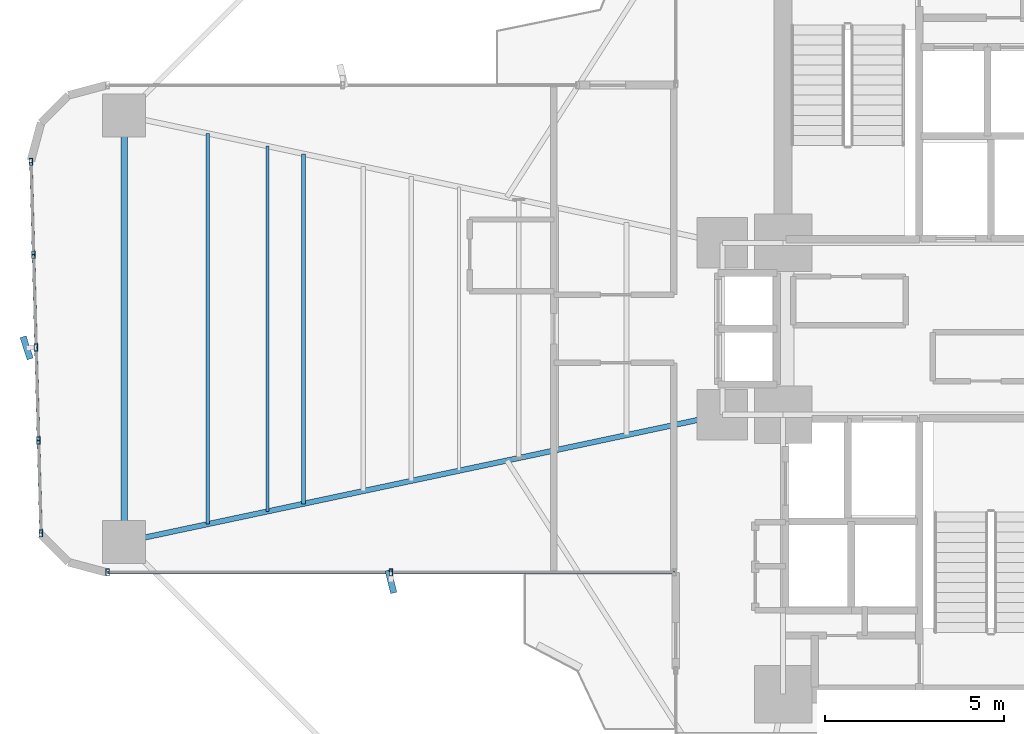
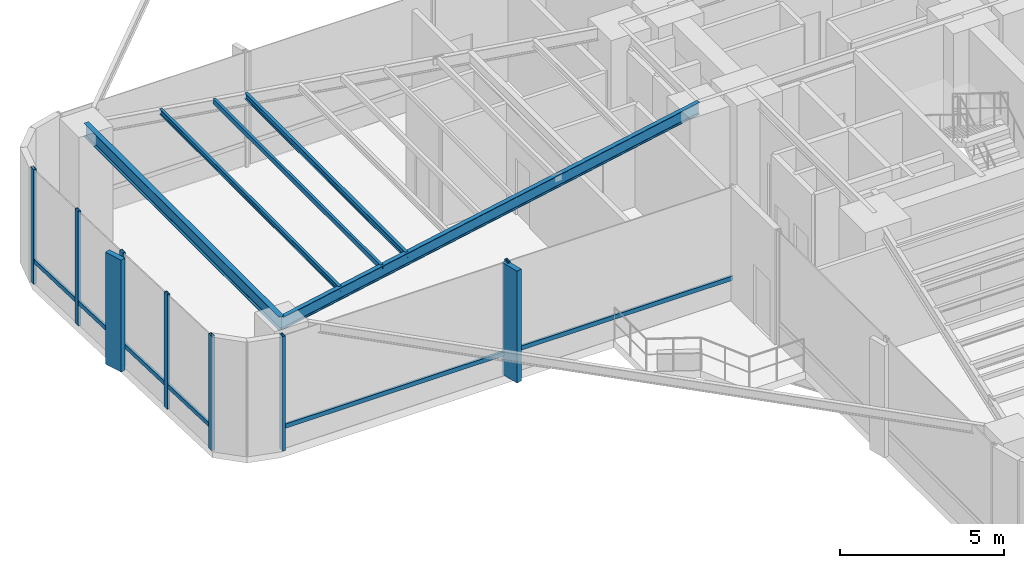
# One storey, part 5 of 20: 15 members, 5 beams, 2 elements without a shape of their own.
"""IFC4 building model written with IfcOpenShell, lengths in metres."""

from ifc_helpers import new_model, si_unit, direction, frame, origin, origin_2d, place, context, subcontext, project, spatial, rectangle, hollow_rectangle, i_section, extrude, source, transform, mapped, material, material_profile, profile_set, type_object, element, aggregate, save


model = new_model("IFC4")

# Units and contexts
model_context = context("Model", 3, precision=1e-05, world=origin(), true_north=direction((0.0, 1.0)))
body_context = subcontext(model_context, "Body", "Model", "MODEL_VIEW")
ifc_project = project(units=[si_unit("LENGTHUNIT", "METRE"), si_unit("AREAUNIT", "SQUARE_METRE"), si_unit("VOLUMEUNIT", "CUBIC_METRE"), si_unit("PLANEANGLEUNIT", "RADIAN"), si_unit("MASSUNIT", "GRAM", prefix="KILO")], contexts=[model_context])

# Site, building, storey
site_placement = place(None, origin())
site = spatial("IfcSite", under=ifc_project, at=site_placement, CompositionType="ELEMENT")
building_placement = place(site_placement, origin())
building = spatial("IfcBuilding", under=site, at=building_placement, Name="Sahyath Konkavel Grand Hotel", CompositionType="ELEMENT")
storey_placement = place(building_placement, frame((0.0, 0.0, 46.550048828125)))
storey = spatial("IfcBuildingStorey", under=building, at=storey_placement, Name="L12", CompositionType="ELEMENT", Elevation=46.550048828125)

# Beams
ifc_material_1 = material(Name="Steel E350", Category="steel")
ifc_material_profile_1 = material_profile(ifc_material_1, i_section(OverallWidth=0.179931640625, OverallDepth=0.5, WebThickness=0.01025390625, FlangeThickness=0.01708984375, FilletRadius=0.01708984375, at=origin_2d()), Name="ISMB 500")
ifc_profile_set_1 = profile_set([ifc_material_profile_1], Name="Steel E350")
beam_type_1 = type_object("IfcBeamType", Name="BM-ISMB500", PredefinedType="BEAM", material=ifc_profile_set_1)
shared_shape_1 = source(origin(), body_context, "Body", "SweptSolid", [
    extrude(i_section(OverallWidth=0.179931640625, OverallDepth=0.5, WebThickness=0.01025390625, FlangeThickness=0.01708984375, FilletRadius=0.01708984375, at=origin_2d()), origin(), (0.0, 0.0, 1.0), 11.89990234375),
])
beam_1_placement = place(storey_placement, frame((-22.199951171875, 5.949951171875, 4.010009765625), z_axis=(0.0, -1.0, 0.0), x_axis=(1.0, 0.0, 0.0)))
element("IfcBeam", 1, at=beam_1_placement, inside=storey, type_object=beam_type_1, Name="L12 Wing Tip Edge Beam W", PredefinedType="BEAM", context=body_context, shape_type="MappedRepresentation", body=[
    mapped(shared_shape_1, transform((0.0, 0.0, 0.0), scale=1.0)),
])
ifc_material_profile_2 = material_profile(ifc_material_1, i_section(OverallWidth=0.14990234375, OverallDepth=0.449951171875, WebThickness=0.009521484375, FlangeThickness=0.017333984375, FilletRadius=0.014892578125, at=origin_2d()), Name="ISMB 450")
ifc_profile_set_2 = profile_set([ifc_material_profile_2], Name="Steel E350")
beam_type_2 = type_object("IfcBeamType", Name="BM-ISMB450", PredefinedType="BEAM", material=ifc_profile_set_2)
shared_shape_2 = source(origin(), body_context, "Body", "SweptSolid", [
    extrude(i_section(OverallWidth=0.14990234375, OverallDepth=0.449951171875, WebThickness=0.009521484375, FlangeThickness=0.017333984375, FilletRadius=0.014892578125, at=origin_2d()), origin(), (0.0, 0.0, 1.0), 17.072998046875),
])
beam_2_placement = place(storey_placement, frame((-5.5, -2.39990234375, 4.034912109375), z_axis=(-0.978143257225, -0.20793212437, 0.0), x_axis=(0.20793212437, -0.978143257225, 0.0)))
element("IfcBeam", 2, at=beam_2_placement, inside=storey, type_object=beam_type_2, Name="L12 Cruciform Radial Girder WB", PredefinedType="BEAM", context=body_context, shape_type="MappedRepresentation", body=[
    mapped(shared_shape_2, transform((0.0, 0.0, 0.0), scale=1.0)),
])
ifc_material_profile_3 = material_profile(ifc_material_1, hollow_rectangle(XDim=0.090087890625, YDim=0.179931640625, WallThickness=0.008056640625, at=origin_2d()), Name="RHS 180x90x8")
ifc_profile_set_3 = profile_set([ifc_material_profile_3], Name="Steel E350")
beam_type_3 = type_object("IfcBeamType", Name="BM-RHS180", PredefinedType="BEAM", material=ifc_profile_set_3)
shared_shape_3 = source(origin(), body_context, "Body", "SweptSolid", [
    extrude(hollow_rectangle(XDim=0.090087890625, YDim=0.179931640625, WallThickness=0.008056640625, at=origin_2d()), origin(), (0.0, 0.0, 1.0), 10.19580078125),
])
beam_3_placement = place(storey_placement, frame((-18.19189453125, 5.097900390625, 4.169921875), z_axis=(0.0, -1.0, 0.0), x_axis=(1.0, 0.0, 0.0)))
element("IfcBeam", 3, at=beam_3_placement, inside=storey, type_object=beam_type_3, Name="L12 Secondary Floor Beam W-3", PredefinedType="BEAM", context=body_context, shape_type="MappedRepresentation", body=[
    mapped(shared_shape_3, transform((0.0, 0.0, 0.0), scale=1.0)),
])
ifc_material_profile_4 = material_profile(ifc_material_1, i_section(OverallWidth=0.110107421875, OverallDepth=0.22509765625, WebThickness=0.006591796875, FlangeThickness=0.01171875, FilletRadius=0.011962890625, at=origin_2d()), Name="ISMB 225")
ifc_profile_set_4 = profile_set([ifc_material_profile_4], Name="Steel E350")
beam_type_4 = type_object("IfcBeamType", Name="BM-ISMB225", PredefinedType="BEAM", material=ifc_profile_set_4)
shared_shape_4 = source(origin(), body_context, "Body", "SweptSolid", [
    extrude(i_section(OverallWidth=0.110107421875, OverallDepth=0.22509765625, WebThickness=0.006591796875, FlangeThickness=0.01171875, FilletRadius=0.011962890625, at=origin_2d()), origin(), (0.0, 0.0, 1.0), 9.77001953125),
])
beam_4_placement = place(storey_placement, frame((-17.18994140625, 4.885009765625, 4.1474609375), z_axis=(0.0, -1.0, 0.0), x_axis=(1.0, 0.0, 0.0)))
element("IfcBeam", 4, at=beam_4_placement, inside=storey, type_object=beam_type_4, Name="L12 Composite Deck Sub-Beam W-5", PredefinedType="BEAM", context=body_context, shape_type="MappedRepresentation", body=[
    mapped(shared_shape_4, transform((0.0, 0.0, 0.0), scale=1.0)),
])
ifc_material_profile_5 = material_profile(ifc_material_1, i_section(OverallWidth=0.10009765625, OverallDepth=0.199951171875, WebThickness=0.005615234375, FlangeThickness=0.0107421875, FilletRadius=0.010986328125, at=origin_2d()), Name="ISMB 200")
ifc_profile_set_5 = profile_set([ifc_material_profile_5], Name="Steel E350")
beam_type_5 = type_object("IfcBeamType", Name="BM-ISMB200", PredefinedType="BEAM", material=ifc_profile_set_5)
shared_shape_5 = source(origin(), body_context, "Body", "SweptSolid", [
    extrude(i_section(OverallWidth=0.10009765625, OverallDepth=0.199951171875, WebThickness=0.005615234375, FlangeThickness=0.0107421875, FilletRadius=0.010986328125, at=origin_2d()), origin(), (0.0, 0.0, 1.0), 10.90576171875),
])
beam_5_placement = place(storey_placement, frame((-19.862060546875, 5.452880859375, 4.159912109375), z_axis=(0.0, -1.0, 0.0), x_axis=(1.0, 0.0, 0.0)))
element("IfcBeam", 5, at=beam_5_placement, inside=storey, type_object=beam_type_5, Name="L12 Composite Deck Sub-Beam W-6", PredefinedType="BEAM", context=body_context, shape_type="MappedRepresentation", body=[
    mapped(shared_shape_5, transform((0.0, 0.0, 0.0), scale=1.0)),
])

# Curtain wall, members
ifc_material_2 = material(Name="Anodised Bronze Aluminium & Low-E Glazing", Category="aluminium")
curtain_wall_type = type_object("IfcCurtainWallType", Name="CW-SKYLOBBY", PredefinedType="NOTDEFINED", material=ifc_material_2)
curtain_wall_1_placement = place(storey_placement, origin())
curtain_wall_1 = element("IfcCurtainWall", 6, at=curtain_wall_1_placement, inside=storey, type_object=curtain_wall_type, Name="L12 Unitised Curtain Wall F20", PredefinedType="NOTDEFINED")
ifc_material_3 = material(Name="Anodised Bronze Aluminium", Category="aluminium")
ifc_material_profile_6 = material_profile(ifc_material_3, hollow_rectangle(XDim=0.10009765625, YDim=0.199951171875, WallThickness=0.008056640625, at=origin_2d()), Name="RHS 200x100x8")
ifc_profile_set_6 = profile_set([ifc_material_profile_6], Name="Anodised Bronze Aluminium")
member_type_1 = type_object("IfcMemberType", Name="CW-MUL-200", PredefinedType="MULLION", material=ifc_profile_set_6)
shared_shape_6 = source(origin(), body_context, "Body", "SweptSolid", [
    extrude(hollow_rectangle(XDim=0.10009765625, YDim=0.199951171875, WallThickness=0.008056640625, at=origin_2d()), origin(), (0.0, 0.0, 1.0), 4.260009765625),
])
member_1_placement = place(storey_placement, frame((-24.798828125, 4.659912109375, 0.0), z_axis=(0.0, 0.0, 1.0), x_axis=(1.0, 0.0, 0.0)))
member_1 = element("IfcMember", 7, at=member_1_placement, type_object=member_type_1, Name="L12 Curtain Wall Mullion F20-0", PredefinedType="MULLION", context=body_context, shape_type="MappedRepresentation", body=[
    mapped(shared_shape_6, transform((0.0, 0.0, 0.0), scale=1.0)),
])
member_2_placement = place(storey_placement, frame((-24.72900390625, 2.0673828125, 0.0), z_axis=(0.0, 0.0, 1.0), x_axis=(1.0, 0.0, 0.0)))
member_2 = element("IfcMember", 8, at=member_2_placement, type_object=member_type_1, Name="L12 Curtain Wall Mullion F20-1", PredefinedType="MULLION", context=body_context, shape_type="MappedRepresentation", body=[
    mapped(shared_shape_6, transform((0.0, 0.0, 0.0), scale=1.0)),
])
member_3_placement = place(storey_placement, frame((-24.6591796875, -0.52490234375, 0.0), z_axis=(0.0, 0.0, 1.0), x_axis=(1.0, 0.0, 0.0)))
member_3 = element("IfcMember", 9, at=member_3_placement, type_object=member_type_1, Name="L12 Curtain Wall Mullion F20-2", PredefinedType="MULLION", context=body_context, shape_type="MappedRepresentation", body=[
    mapped(shared_shape_6, transform((0.0, 0.0, 0.0), scale=1.0)),
])
member_4_placement = place(storey_placement, frame((-24.589599609375, -3.117431640625, 0.0), z_axis=(0.0, 0.0, 1.0), x_axis=(1.0, 0.0, 0.0)))
member_4 = element("IfcMember", 10, at=member_4_placement, type_object=member_type_1, Name="L12 Curtain Wall Mullion F20-3", PredefinedType="MULLION", context=body_context, shape_type="MappedRepresentation", body=[
    mapped(shared_shape_6, transform((0.0, 0.0, 0.0), scale=1.0)),
])
member_5_placement = place(storey_placement, frame((-24.519775390625, -5.7099609375, 0.0), z_axis=(0.0, 0.0, 1.0), x_axis=(1.0, 0.0, 0.0)))
member_5 = element("IfcMember", 11, at=member_5_placement, type_object=member_type_1, Name="L12 Curtain Wall Mullion F20-4", PredefinedType="MULLION", context=body_context, shape_type="MappedRepresentation", body=[
    mapped(shared_shape_6, transform((0.0, 0.0, 0.0), scale=1.0)),
])

curtain_wall_2_placement = place(storey_placement, origin())
curtain_wall_2 = element("IfcCurtainWall", 12, at=curtain_wall_2_placement, inside=storey, type_object=curtain_wall_type, Name="L12 Unitised Curtain Wall F23", PredefinedType="NOTDEFINED")
member_6_placement = place(storey_placement, frame((-22.659912109375, -6.800048828125, 0.0), z_axis=(0.0, 0.0, 1.0), x_axis=(1.0, 0.0, 0.0)))
member_6 = element("IfcMember", 13, at=member_6_placement, type_object=member_type_1, Name="L12 Curtain Wall Mullion F23-0", PredefinedType="MULLION", context=body_context, shape_type="MappedRepresentation", body=[
    mapped(shared_shape_6, transform((0.0, 0.0, 0.0), scale=1.0)),
])
member_7_placement = place(storey_placement, frame((-14.75, -6.800048828125, 0.0), z_axis=(0.0, 0.0, 1.0), x_axis=(1.0, 0.0, 0.0)))
member_7 = element("IfcMember", 14, at=member_7_placement, type_object=member_type_1, Name="L12 Curtain Wall Mullion F23-1", PredefinedType="MULLION", context=body_context, shape_type="MappedRepresentation", body=[
    mapped(shared_shape_6, transform((0.0, 0.0, 0.0), scale=1.0)),
])
ifc_material_profile_7 = material_profile(ifc_material_3, hollow_rectangle(XDim=0.080078125, YDim=0.159912109375, WallThickness=0.006103515625, at=origin_2d()), Name="RHS 160x80x6")
ifc_profile_set_7 = profile_set([ifc_material_profile_7], Name="Anodised Bronze Aluminium")
member_type_2 = type_object("IfcMemberType", Name="CW-TRN-160", PredefinedType="USERDEFINED", material=ifc_profile_set_7)
shared_shape_7 = source(origin(), body_context, "Body", "SweptSolid", [
    extrude(hollow_rectangle(XDim=0.080078125, YDim=0.159912109375, WallThickness=0.006103515625, at=origin_2d()), origin(), (0.0, 0.0, 1.0), 7.909912109375),
])
member_8_placement = place(storey_placement, frame((-22.659912109375, -6.800048828125, 0.849853515625), z_axis=(1.0, 0.0, 0.0), x_axis=(0.0, 1.0, 0.0)))
member_8 = element("IfcMember", 15, at=member_8_placement, type_object=member_type_2, Name="L12 Curtain Wall Transom F23-0-spandrel", ObjectType="TRANSOM", PredefinedType="USERDEFINED", context=body_context, shape_type="MappedRepresentation", body=[
    mapped(shared_shape_7, transform((0.0, 0.0, 0.0), scale=1.0)),
])
member_9_placement = place(storey_placement, frame((-14.75, -6.800048828125, 0.849853515625), z_axis=(1.0, 0.0, 0.0), x_axis=(0.0, 1.0, 0.0)))
member_9 = element("IfcMember", 16, at=member_9_placement, type_object=member_type_2, Name="L12 Curtain Wall Transom F23-1-spandrel", ObjectType="TRANSOM", PredefinedType="USERDEFINED", context=body_context, shape_type="MappedRepresentation", body=[
    mapped(shared_shape_7, transform((0.0, 0.0, 0.0), scale=1.0)),
])

# Member
shared_shape_8 = source(origin(), body_context, "Body", "SweptSolid", [
    extrude(hollow_rectangle(XDim=0.080078125, YDim=0.159912109375, WallThickness=0.006103515625, at=origin_2d()), origin(), (0.0, 0.0, 1.0), 2.593505859375),
])
member_10_placement = place(storey_placement, frame((-24.798828125, 4.659912109375, 0.849853515625), z_axis=(0.026923093252, -0.999637507825, 0.0), x_axis=(0.999637507825, 0.026923093252, 0.0)))
member_10 = element("IfcMember", 17, at=member_10_placement, type_object=member_type_2, Name="L12 Curtain Wall Transom F20-0-spandrel", ObjectType="TRANSOM", PredefinedType="USERDEFINED", context=body_context, shape_type="MappedRepresentation", body=[
    mapped(shared_shape_8, transform((0.0, 0.0, 0.0), scale=1.0)),
])

member_11_placement = place(storey_placement, frame((-24.6591796875, -0.52490234375, 0.849853515625), z_axis=(0.02682902444, -0.999640036937, 0.0), x_axis=(0.999640036937, 0.02682902444, 0.0)))
member_11 = element("IfcMember", 18, at=member_11_placement, type_object=member_type_2, Name="L12 Curtain Wall Transom F20-2-spandrel", ObjectType="TRANSOM", PredefinedType="USERDEFINED", context=body_context, shape_type="MappedRepresentation", body=[
    mapped(shared_shape_8, transform((0.0, 0.0, 0.0), scale=1.0)),
])

member_12_placement = place(storey_placement, frame((-24.589599609375, -3.117431640625, 0.849853515625), z_axis=(0.026923093252, -0.999637507825, 0.0), x_axis=(0.999637507825, 0.026923093252, 0.0)))
member_12 = element("IfcMember", 19, at=member_12_placement, type_object=member_type_2, Name="L12 Curtain Wall Transom F20-3-spandrel", ObjectType="TRANSOM", PredefinedType="USERDEFINED", context=body_context, shape_type="MappedRepresentation", body=[
    mapped(shared_shape_8, transform((0.0, 0.0, 0.0), scale=1.0)),
])

shared_shape_9 = source(origin(), body_context, "Body", "SweptSolid", [
    extrude(hollow_rectangle(XDim=0.080078125, YDim=0.159912109375, WallThickness=0.006103515625, at=origin_2d()), origin(), (0.0, 0.0, 1.0), 2.59326171875),
])
member_13_placement = place(storey_placement, frame((-24.72900390625, 2.0673828125, 0.849853515625), z_axis=(0.026925627022, -0.99963743958, 0.0), x_axis=(0.99963743958, 0.026925627022, 0.0)))
member_13 = element("IfcMember", 20, at=member_13_placement, type_object=member_type_2, Name="L12 Curtain Wall Transom F20-1-spandrel", ObjectType="TRANSOM", PredefinedType="USERDEFINED", context=body_context, shape_type="MappedRepresentation", body=[
    mapped(shared_shape_9, transform((0.0, 0.0, 0.0), scale=1.0)),
])

ifc_material_4 = material(Name="Warm Buff Sandstone Cladding on Concrete C50/60", Category="masonry")
ifc_material_profile_8 = material_profile(ifc_material_4, rectangle(XDim=0.179931640625, YDim=0.64990234375, at=origin_2d()), Name="FIN 180x650")
ifc_profile_set_8 = profile_set([ifc_material_profile_8], Name="Warm Buff Sandstone Cladding on Concrete C50/60")
member_type_3 = type_object("IfcMemberType", Name="FIN-SANDSTONE-650", PredefinedType="MULLION", material=ifc_profile_set_8)
shared_shape_10 = source(origin(), body_context, "Body", "SweptSolid", [
    extrude(rectangle(XDim=0.179931640625, YDim=0.64990234375, at=origin_2d()), origin(), (0.0, 0.0, 1.0), 4.159912109375),
])
member_14_placement = place(storey_placement, frame((-24.919189453125, -0.531982421875, 0.050048828125), z_axis=(0.0, 0.0, 1.0), x_axis=(0.951648033235, 0.307190528564, 0.0)))
member_14 = element("IfcMember", 21, at=member_14_placement, type_object=member_type_3, Name="L12 Sandstone Vertical Solar Fin FIN F20-2", PredefinedType="MULLION", context=body_context, shape_type="MappedRepresentation", body=[
    mapped(shared_shape_10, transform((0.0, 0.0, 0.0), scale=1.0)),
])

aggregate(curtain_wall_1, [member_1, member_2, member_3, member_14, member_4, member_5, member_10, member_13, member_11, member_12])

member_15_placement = place(storey_placement, frame((-14.75, -7.06005859375, 0.050048828125), z_axis=(0.0, 0.0, 1.0), x_axis=(0.970084240161, 0.242768546132, 0.0)))
member_15 = element("IfcMember", 22, at=member_15_placement, type_object=member_type_3, Name="L12 Sandstone Vertical Solar Fin FIN F23-1", PredefinedType="MULLION", context=body_context, shape_type="MappedRepresentation", body=[
    mapped(shared_shape_10, transform((0.0, 0.0, 0.0), scale=1.0)),
])

aggregate(curtain_wall_2, [member_6, member_7, member_15, member_8, member_9])

save(model, "model.ifc")
